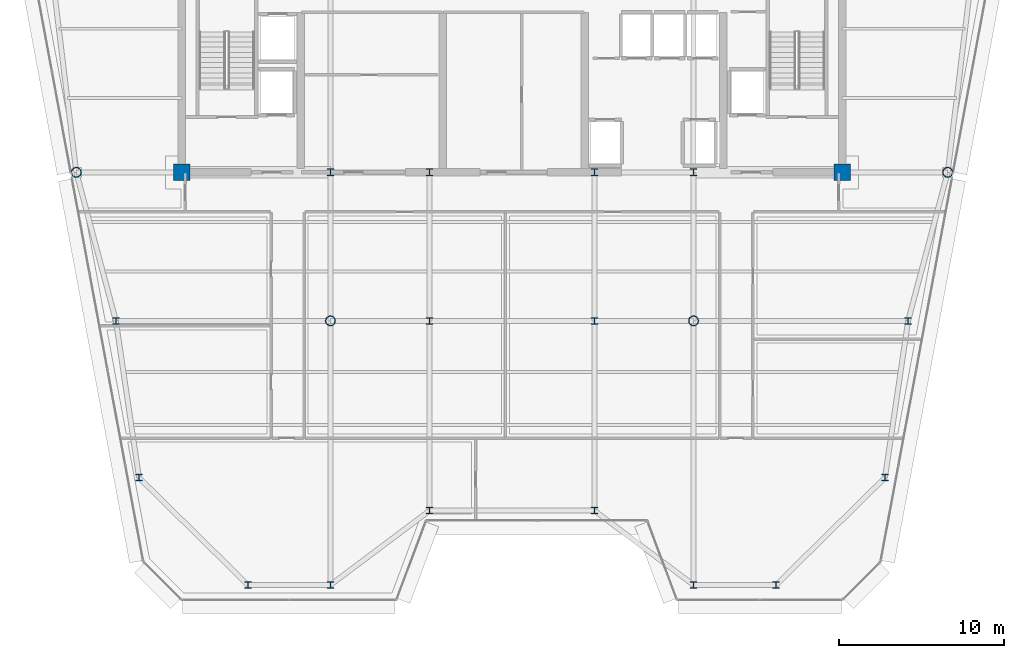
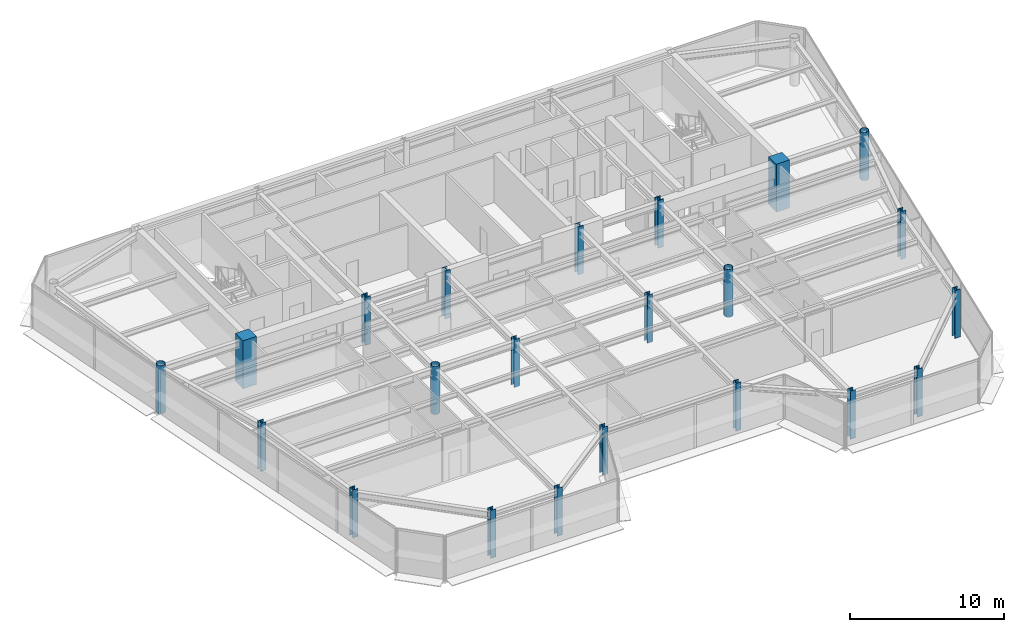
# One storey, part 1 of 19: 22 columns.
"""IFC4 building model written with IfcOpenShell, lengths in metres."""

from ifc_helpers import new_model, si_unit, direction, frame, origin, origin_2d, place, context, subcontext, project, spatial, rectangle, hollow_circle, i_section, extrude, source, transform, mapped, material, material_profile, profile_set, type_object, element, save


model = new_model("IFC4")

# Units and contexts
model_context = context("Model", 3, precision=1e-05, world=origin(), true_north=direction((0.0, 1.0)))
body_context = subcontext(model_context, "Body", "Model", "MODEL_VIEW")
ifc_project = project(units=[si_unit("LENGTHUNIT", "METRE"), si_unit("AREAUNIT", "SQUARE_METRE"), si_unit("VOLUMEUNIT", "CUBIC_METRE"), si_unit("PLANEANGLEUNIT", "RADIAN"), si_unit("MASSUNIT", "GRAM", prefix="KILO")], contexts=[model_context])

# Site, building, storey
site_placement = place(None, origin())
site = spatial("IfcSite", under=ifc_project, at=site_placement, CompositionType="ELEMENT")
building_placement = place(site_placement, origin())
building = spatial("IfcBuilding", under=site, at=building_placement, Name="Vaeldorn Concourse Tower", CompositionType="ELEMENT")
storey_placement = place(building_placement, frame((0.0, 0.0, 249.800048828125)))
storey = spatial("IfcBuildingStorey", under=building, at=storey_placement, Name="L64", CompositionType="ELEMENT", Elevation=249.800048828125)

# Columns
ifc_material_1 = material(Name="Concrete C50/60", Category="concrete")
ifc_material_profile_1 = material_profile(ifc_material_1, rectangle(XDim=1.0, YDim=1.0, at=origin_2d()), Name="RC 1000x1000")
ifc_profile_set_1 = profile_set([ifc_material_profile_1], Name="Concrete C50/60")
column_type_1 = type_object("IfcColumnType", Name="COL-RC1000", PredefinedType="COLUMN", material=ifc_profile_set_1)
shared_shape_1 = source(origin(), body_context, "Body", "SweptSolid", [
    extrude(rectangle(XDim=1.0, YDim=1.0, at=origin_2d()), origin(), (0.0, 0.0, 1.0), 3.800048828125),
])
for number, where, z_axis, x_axis, name in (
    (1, (14.0, 36.5, 0.0), (0.0, 0.0, 1.0), (1.0, 0.0, 0.0), "Column C-FC1 L64"),
    (2, (54.0, 36.5, 0.0), (0.0, 0.0, 1.0), (1.0, 0.0, 0.0), "Column C-FC6 L64"),
):
    element("IfcColumn", number, at=place(storey_placement, frame(where, z_axis=z_axis, x_axis=x_axis)), inside=storey, type_object=column_type_1, Name=name, PredefinedType="COLUMN", context=body_context, shape_type="MappedRepresentation", body=[
        mapped(shared_shape_1, transform((0.0, 0.0, 0.0), scale=1.0)),
    ])
ifc_material_2 = material(Name="Steel S460", Category="steel")
ifc_material_profile_2 = material_profile(ifc_material_2, i_section(OverallWidth=0.41796875, OverallDepth=0.455078125, WebThickness=0.0419921875, FlangeThickness=0.05810546875, FilletRadius=0.014892578125, at=origin_2d()), Name="HD 400x551")
ifc_profile_set_2 = profile_set([ifc_material_profile_2], Name="Steel S460")
column_type_2 = type_object("IfcColumnType", Name="COL-HD551", PredefinedType="COLUMN", material=ifc_profile_set_2)
shared_shape_2 = source(origin(), body_context, "Body", "SweptSolid", [
    extrude(i_section(OverallWidth=0.41796875, OverallDepth=0.455078125, WebThickness=0.0419921875, FlangeThickness=0.05810546875, FilletRadius=0.014892578125, at=origin_2d()), origin(), (0.0, 0.0, 1.0), 3.800048828125),
])
for number, where, z_axis, x_axis, name in (
    (3, (23.0, 36.5, 0.0), (0.0, 0.0, 1.0), (1.0, 0.0, 0.0), "Column C-FC2 L64"),
    (4, (29.0, 36.5, 0.0), (0.0, 0.0, 1.0), (1.0, 0.0, 0.0), "Column C-FC3 L64"),
    (5, (39.0, 36.5, 0.0), (0.0, 0.0, 1.0), (1.0, 0.0, 0.0), "Column C-FC4 L64"),
    (6, (45.0, 36.5, 0.0), (0.0, 0.0, 1.0), (1.0, 0.0, 0.0), "Column C-FC5 L64"),
):
    element("IfcColumn", number, at=place(storey_placement, frame(where, z_axis=z_axis, x_axis=x_axis)), inside=storey, type_object=column_type_2, Name=name, PredefinedType="COLUMN", context=body_context, shape_type="MappedRepresentation", body=[
        mapped(shared_shape_2, transform((0.0, 0.0, 0.0), scale=1.0)),
    ])
ifc_material_3 = material(Name="Steel S355", Category="steel")
ifc_material_profile_3 = material_profile(ifc_material_3, hollow_circle(Radius=0.304931640625, WallThickness=0.030029296875, at=origin_2d()), Name="CHS 610x30")
ifc_profile_set_3 = profile_set([ifc_material_profile_3], Name="Steel S355")
column_type_3 = type_object("IfcColumnType", Name="COL-CHS610", PredefinedType="COLUMN", material=ifc_profile_set_3)
shared_shape_3 = source(origin(), body_context, "Body", "SweptSolid", [
    extrude(hollow_circle(Radius=0.304931640625, WallThickness=0.030029296875, at=origin_2d()), origin(), (0.0, 0.0, 1.0), 3.800048828125),
])
for number, where, z_axis, x_axis, name in (
    (7, (7.60009765625, 36.5, 0.0), (0.0, 0.0, 1.0), (1.0, 0.0, 0.0), "Column C-NW2 L64"),
    (8, (60.39990234375, 36.5, 0.0), (0.0, 0.0, 1.0), (1.0, 0.0, 0.0), "Column C-NE2 L64"),
    (9, (23.0, 27.5, 0.0), (0.0, 0.0, 1.0), (1.0, 0.0, 0.0), "Column C-TW1 L64"),
    (10, (45.0, 27.5, 0.0), (0.0, 0.0, 1.0), (1.0, 0.0, 0.0), "Column C-TW4 L64"),
):
    element("IfcColumn", number, at=place(storey_placement, frame(where, z_axis=z_axis, x_axis=x_axis)), inside=storey, type_object=column_type_3, Name=name, PredefinedType="COLUMN", context=body_context, shape_type="MappedRepresentation", body=[
        mapped(shared_shape_3, transform((0.0, 0.0, 0.0), scale=1.0)),
    ])
ifc_material_profile_4 = material_profile(ifc_material_3, i_section(OverallWidth=0.40087890625, OverallDepth=0.39892578125, WebThickness=0.02490234375, FlangeThickness=0.034912109375, FilletRadius=0.014892578125, at=origin_2d()), Name="HD 400x314")
ifc_profile_set_4 = profile_set([ifc_material_profile_4], Name="Steel S355")
column_type_4 = type_object("IfcColumnType", Name="COL-HD314F", PredefinedType="COLUMN", material=ifc_profile_set_4)
shared_shape_4 = source(origin(), body_context, "Body", "SweptSolid", [
    extrude(i_section(OverallWidth=0.40087890625, OverallDepth=0.39892578125, WebThickness=0.02490234375, FlangeThickness=0.034912109375, FilletRadius=0.014892578125, at=origin_2d()), origin(), (0.0, 0.0, 1.0), 3.800048828125),
])
for number, where, z_axis, x_axis, name in (
    (11, (10.0, 27.5, 0.0), (0.0, 0.0, 1.0), (1.0, 0.0, 0.0), "Column C-FLW1 L64"),
    (12, (11.39990234375, 18.0, 0.0), (0.0, 0.0, 1.0), (1.0, 0.0, 0.0), "Column C-FLW2 L64"),
    (13, (58.0, 27.5, 0.0), (0.0, 0.0, 1.0), (1.0, 0.0, 0.0), "Column C-FLE1 L64"),
    (14, (56.60009765625, 18.0, 0.0), (0.0, 0.0, 1.0), (1.0, 0.0, 0.0), "Column C-FLE2 L64"),
):
    element("IfcColumn", number, at=place(storey_placement, frame(where, z_axis=z_axis, x_axis=x_axis)), inside=storey, type_object=column_type_4, Name=name, PredefinedType="COLUMN", context=body_context, shape_type="MappedRepresentation", body=[
        mapped(shared_shape_4, transform((0.0, 0.0, 0.0), scale=1.0)),
    ])
ifc_material_profile_5 = material_profile(ifc_material_3, i_section(OverallWidth=0.39794921875, OverallDepth=0.386962890625, WebThickness=0.0205078125, FlangeThickness=0.029052734375, FilletRadius=0.014892578125, at=origin_2d()), Name="HD 400x262")
ifc_profile_set_5 = profile_set([ifc_material_profile_5], Name="Steel S355")
column_type_5 = type_object("IfcColumnType", Name="COL-HD262T", PredefinedType="COLUMN", material=ifc_profile_set_5)
shared_shape_5 = source(origin(), body_context, "Body", "SweptSolid", [
    extrude(i_section(OverallWidth=0.39794921875, OverallDepth=0.386962890625, WebThickness=0.0205078125, FlangeThickness=0.029052734375, FilletRadius=0.014892578125, at=origin_2d()), origin(), (0.0, 0.0, 1.0), 3.800048828125),
])
for number, where, z_axis, x_axis, name in (
    (15, (29.0, 27.5, 0.0), (0.0, 0.0, 1.0), (1.0, 0.0, 0.0), "Column C-TW2 L64"),
    (16, (39.0, 27.5, 0.0), (0.0, 0.0, 1.0), (1.0, 0.0, 0.0), "Column C-TW3 L64"),
    (17, (18.0, 11.5, 0.0), (0.0, 0.0, 1.0), (1.0, 0.0, 0.0), "Column C-SF1 L64"),
    (18, (23.0, 11.5, 0.0), (0.0, 0.0, 1.0), (1.0, 0.0, 0.0), "Column C-SF2 L64"),
    (19, (29.0, 16.0, 0.0), (0.0, 0.0, 1.0), (1.0, 0.0, 0.0), "Column C-SF3 L64"),
    (20, (39.0, 16.0, 0.0), (0.0, 0.0, 1.0), (1.0, 0.0, 0.0), "Column C-SF4 L64"),
    (21, (45.0, 11.5, 0.0), (0.0, 0.0, 1.0), (1.0, 0.0, 0.0), "Column C-SF5 L64"),
    (22, (50.0, 11.5, 0.0), (0.0, 0.0, 1.0), (1.0, 0.0, 0.0), "Column C-SF6 L64"),
):
    element("IfcColumn", number, at=place(storey_placement, frame(where, z_axis=z_axis, x_axis=x_axis)), inside=storey, type_object=column_type_5, Name=name, PredefinedType="COLUMN", context=body_context, shape_type="MappedRepresentation", body=[
        mapped(shared_shape_5, transform((0.0, 0.0, 0.0), scale=1.0)),
    ])

save(model, "model.ifc")
